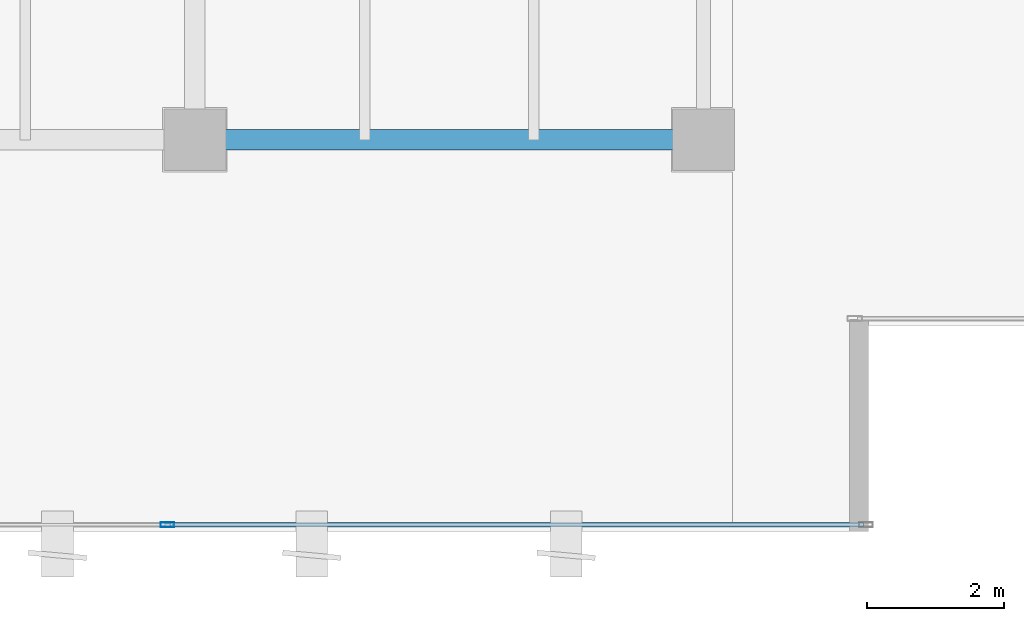
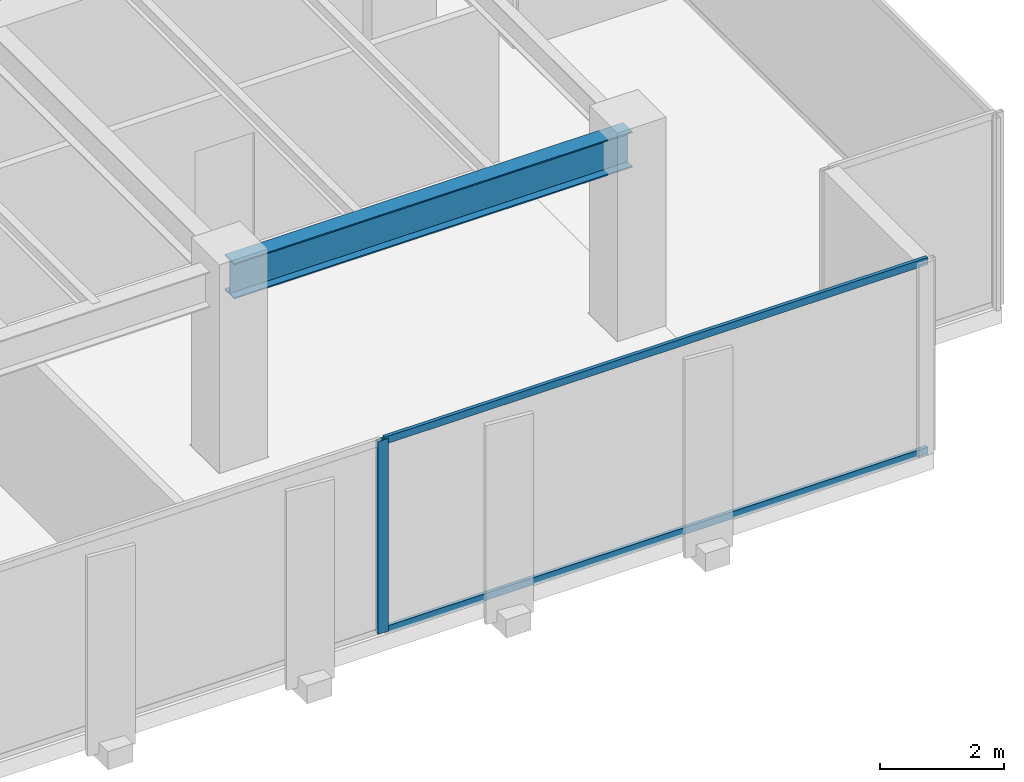
# One storey, part 12 of 34: 3 members, 1 beam, 1 element without a shape of its own.
"""IFC4 building model written with IfcOpenShell, lengths in metres."""

from ifc_helpers import new_model, si_unit, direction, frame, origin, origin_2d, place, context, subcontext, project, spatial, hollow_rectangle, i_section, extrude, source, transform, mapped, material, layer, layer_set, material_profile, profile_set, type_object, type_shapes, element, aggregate, save


model = new_model("IFC4")

# Units and contexts
model_context = context("Model", 3, precision=1e-05, world=origin(), true_north=direction((0.0, 1.0)))
body_context = subcontext(model_context, "Body", "Model", "MODEL_VIEW")
ifc_project = project(units=[si_unit("LENGTHUNIT", "METRE"), si_unit("AREAUNIT", "SQUARE_METRE"), si_unit("VOLUMEUNIT", "CUBIC_METRE"), si_unit("PLANEANGLEUNIT", "RADIAN"), si_unit("MASSUNIT", "GRAM", prefix="KILO")], contexts=[model_context])

# Site, building, storey
site_placement = place(None, origin())
site = spatial("IfcSite", under=ifc_project, at=site_placement, CompositionType="ELEMENT")
building_placement = place(site_placement, origin())
building = spatial("IfcBuilding", under=site, at=building_placement, Name="Haelvirn Gate Laboratories", CompositionType="ELEMENT")
storey_placement = place(building_placement, frame((0.0, 0.0, 109.199951171875)))
storey = spatial("IfcBuildingStorey", under=building, at=storey_placement, Name="L26", CompositionType="ELEMENT", Elevation=109.199951171875)

# Beam
ifc_material_1 = material(Name="Steel SM355", Category="steel")
ifc_material_profile_1 = material_profile(ifc_material_1, i_section(OverallWidth=0.300048828125, OverallDepth=0.699951171875, WebThickness=0.012939453125, FlangeThickness=0.02392578125, at=origin_2d()), Name="H-700x300x13x24")
ifc_profile_set_1 = profile_set([ifc_material_profile_1], Name="Steel SM355")
beam_type = type_object("IfcBeamType", Name="BM-G-700", PredefinedType="BEAM", material=ifc_profile_set_1)
shared_shape_1 = source(origin(), body_context, "Body", "SweptSolid", [
    extrude(i_section(OverallWidth=0.300048828125, OverallDepth=0.699951171875, WebThickness=0.012939453125, FlangeThickness=0.02392578125, at=origin_2d()), origin(), (0.0, 0.0, 1.0), 7.39990234375),
])
type_shapes(beam_type, [shared_shape_1])
beam_placement = place(storey_placement, frame((60.0, 7.0, 3.43994140625), z_axis=(1.0, 0.0, 0.0), x_axis=(0.0, 1.0, 0.0)))
element("IfcBeam", 1, at=beam_placement, inside=storey, type_object=beam_type, Name="L26 Primary Girder Y7.0 (60.0-67.4)", PredefinedType="BEAM", context=body_context, shape_type="MappedRepresentation", body=[
    mapped(shared_shape_1, transform((0.0, 0.0, 0.0), scale=1.0)),
])

# Curtain wall, members
ifc_material_2 = material(Name="Anodised bronze unitised aluminium & triple low-E glass", Category="aluminium")
ifc_layer = layer(ifc_material_2, 0.179931640625, Name="CW-SYS-3")
ifc_layer_set = layer_set([ifc_layer], Name="Anodised bronze unitised aluminium & triple low-E glass")
curtain_wall_type = type_object("IfcCurtainWallType", Name="CW-SYS-3", PredefinedType="NOTDEFINED", material=ifc_layer_set)
curtain_wall_placement = place(storey_placement, origin())
curtain_wall = element("IfcCurtainWall", 2, at=curtain_wall_placement, inside=storey, type_object=curtain_wall_type, Name="L26 Unitised Curtain Wall CW-L26-P0-E04-1", PredefinedType="NOTDEFINED")
ifc_material_3 = material(Name="Extruded aluminium 6063-T6 (anodised bronze)", Category="aluminium")
ifc_material_profile_2 = material_profile(ifc_material_3, hollow_rectangle(XDim=0.06494140625, YDim=0.139892578125, WallThickness=0.00390625, at=origin_2d()), Name="CWT-140x65x4")
ifc_profile_set_2 = profile_set([ifc_material_profile_2], Name="Extruded aluminium 6063-T6 (anodised bronze)")
member_type_1 = type_object("IfcMemberType", Name="CWT-T140", PredefinedType="USERDEFINED", material=ifc_profile_set_2)
shared_shape_2 = source(origin(), body_context, "Body", "SweptSolid", [
    extrude(hollow_rectangle(XDim=0.06494140625, YDim=0.139892578125, WallThickness=0.00390625, at=origin_2d()), origin(), (0.0, 0.0, 1.0), 10.087646484375),
])
type_shapes(member_type_1, [shared_shape_2])
member_1_placement = place(storey_placement, frame((59.637451171875, 1.39990234375, 0.032470703125), z_axis=(1.0, 0.0, 0.0), x_axis=(0.0, 1.0, 0.0)))
member_1 = element("IfcMember", 3, at=member_1_placement, type_object=member_type_1, Name="CW3 transom 2.1", ObjectType="TRANSOM", PredefinedType="USERDEFINED", context=body_context, shape_type="MappedRepresentation", body=[
    mapped(shared_shape_2, transform((0.0, 0.0, 0.0), scale=1.0)),
])
member_2_placement = place(storey_placement, frame((59.637451171875, 1.39990234375, 3.757568359375), z_axis=(1.0, 0.0, 0.0), x_axis=(0.0, 1.0, 0.0)))
member_2 = element("IfcMember", 4, at=member_2_placement, type_object=member_type_1, Name="CW3 transom 2.2", ObjectType="TRANSOM", PredefinedType="USERDEFINED", context=body_context, shape_type="MappedRepresentation", body=[
    mapped(shared_shape_2, transform((0.0, 0.0, 0.0), scale=1.0)),
])
ifc_material_profile_3 = material_profile(ifc_material_3, hollow_rectangle(XDim=0.074951171875, YDim=0.199951171875, WallThickness=0.0048828125, at=origin_2d()), Name="CWM-200x75x5")
ifc_profile_set_3 = profile_set([ifc_material_profile_3], Name="Extruded aluminium 6063-T6 (anodised bronze)")
member_type_2 = type_object("IfcMemberType", Name="CWM-T200", PredefinedType="MULLION", material=ifc_profile_set_3)
shared_shape_3 = source(origin(), body_context, "Body", "SweptSolid", [
    extrude(hollow_rectangle(XDim=0.074951171875, YDim=0.199951171875, WallThickness=0.0048828125, at=origin_2d()), origin(), (0.0, 0.0, 1.0), 3.7900390625),
])
type_shapes(member_type_2, [shared_shape_3])
member_3_placement = place(storey_placement, frame((59.60009765625, 1.39990234375, 0.0), z_axis=(0.0, 0.0, 1.0), x_axis=(0.0, 1.0, 0.0)))
member_3 = element("IfcMember", 5, at=member_3_placement, type_object=member_type_2, Name="CW3 mullion 2", PredefinedType="MULLION", context=body_context, shape_type="MappedRepresentation", body=[
    mapped(shared_shape_3, transform((0.0, 0.0, 0.0), scale=1.0)),
])
aggregate(curtain_wall, [member_3, member_1, member_2])

save(model, "model.ifc")
